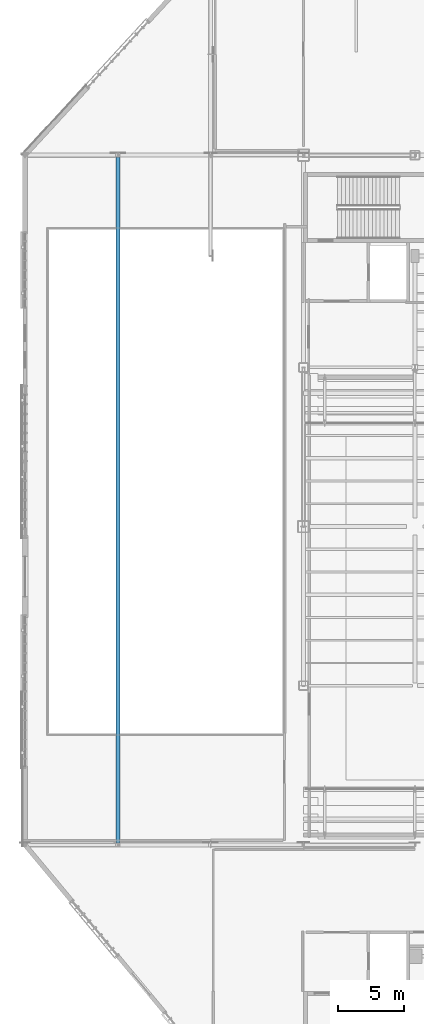
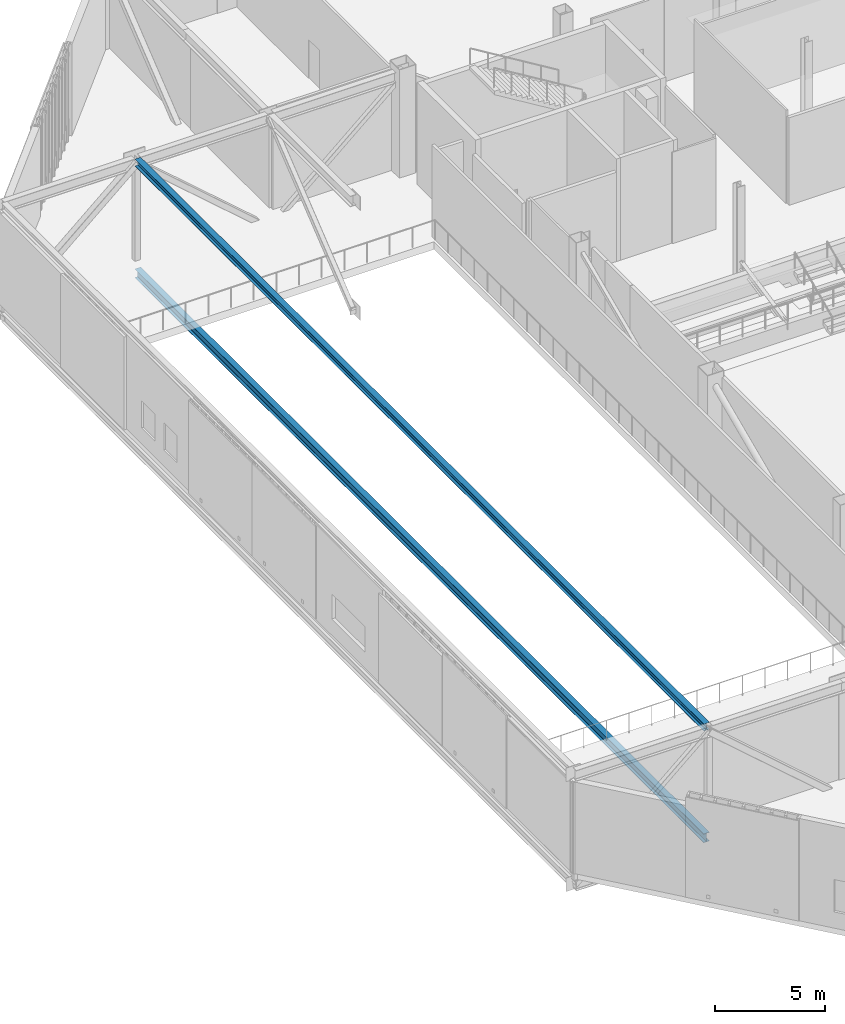
# One storey, part 16 of 135: 2 beams.
"""IFC4 building model written with IfcOpenShell, lengths in metres."""

from ifc_helpers import new_model, si_unit, direction, frame, origin, origin_2d, place, context, subcontext, project, spatial, i_section, extrude, material, material_profile, profile_set, type_object, element, save


model = new_model("IFC4")

# Units and contexts
model_context = context("Model", 3, precision=1e-05, world=origin(), true_north=direction((0.0, 1.0)))
body_context = subcontext(model_context, "Body", "Model", "MODEL_VIEW")
ifc_project = project(units=[si_unit("LENGTHUNIT", "METRE"), si_unit("AREAUNIT", "SQUARE_METRE"), si_unit("VOLUMEUNIT", "CUBIC_METRE"), si_unit("PLANEANGLEUNIT", "RADIAN"), si_unit("MASSUNIT", "GRAM", prefix="KILO")], contexts=[model_context])

# Site, building, storey
site_placement = place(None, origin())
site = spatial("IfcSite", under=ifc_project, at=site_placement, CompositionType="ELEMENT")
building_placement = place(site_placement, origin())
building = spatial("IfcBuilding", under=site, at=building_placement, Name="Larkvane Passage Sports Hall", CompositionType="ELEMENT")
storey_placement = place(building_placement, frame((0.0, 0.0, 10.800048828125)))
storey = spatial("IfcBuildingStorey", under=building, at=storey_placement, Name="L02", CompositionType="ELEMENT", Elevation=10.800048828125)

# Beams
ifc_material = material(Name="Steel S355JR", Category="steel")
ifc_material_profile_1 = material_profile(ifc_material, i_section(OverallWidth=0.300048828125, OverallDepth=0.389892578125, WebThickness=0.010009765625, FlangeThickness=0.01611328125, FilletRadius=0.01806640625, at=origin_2d()), Name="H-390x300x10x16")
ifc_profile_set_1 = profile_set([ifc_material_profile_1], Name="Steel S355JR")
beam_type_1 = type_object("IfcBeamType", Name="BM-STL-H390", PredefinedType="BEAM", material=ifc_profile_set_1)
beam_1_placement = place(storey_placement, frame((20.800048828125, 39.75, 5.48486328125), z_axis=(0.0, 1.0, 0.0), x_axis=(-1.0, 0.0, 0.0)))
element("IfcBeam", 1, at=beam_1_placement, inside=storey, type_object=beam_type_1, Name="Cantilever transverse top beam CT-W2A--2", PredefinedType="BEAM", context=body_context, shape_type="SweptSolid", body=[
    extrude(i_section(OverallWidth=0.300048828125, OverallDepth=0.389892578125, WebThickness=0.010009765625, FlangeThickness=0.01611328125, FilletRadius=0.01806640625, at=origin_2d()), origin(), (0.0, 0.0, 1.0), 51.699951171875),
])
ifc_material_profile_2 = material_profile(ifc_material, i_section(OverallWidth=0.300048828125, OverallDepth=0.488037109375, WebThickness=0.010986328125, FlangeThickness=0.01806640625, FilletRadius=0.02197265625, at=origin_2d()), Name="H-488x300x11x18")
ifc_profile_set_2 = profile_set([ifc_material_profile_2], Name="Steel S355JR")
beam_type_2 = type_object("IfcBeamType", Name="BM-STL-H488", PredefinedType="BEAM", material=ifc_profile_set_2)
beam_2_placement = place(storey_placement, frame((20.800048828125, 39.75, -0.6640625), z_axis=(0.0, 1.0, 0.0), x_axis=(-1.0, 0.0, 0.0)))
element("IfcBeam", 2, at=beam_2_placement, inside=storey, type_object=beam_type_2, Name="Cantilever transverse flr beam CT-W2A--2", PredefinedType="BEAM", context=body_context, shape_type="SweptSolid", body=[
    extrude(i_section(OverallWidth=0.300048828125, OverallDepth=0.488037109375, WebThickness=0.010986328125, FlangeThickness=0.01806640625, FilletRadius=0.02197265625, at=origin_2d()), origin(), (0.0, 0.0, 1.0), 51.699951171875),
])

save(model, "model.ifc")
